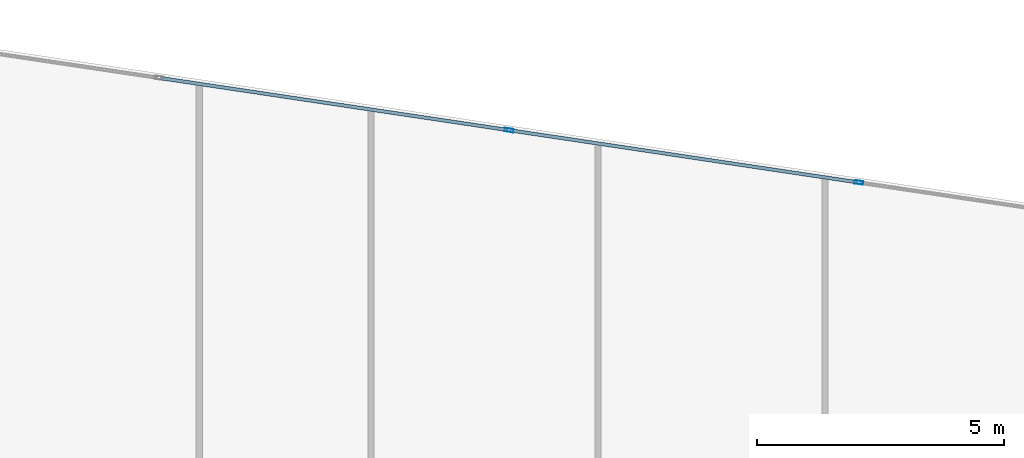
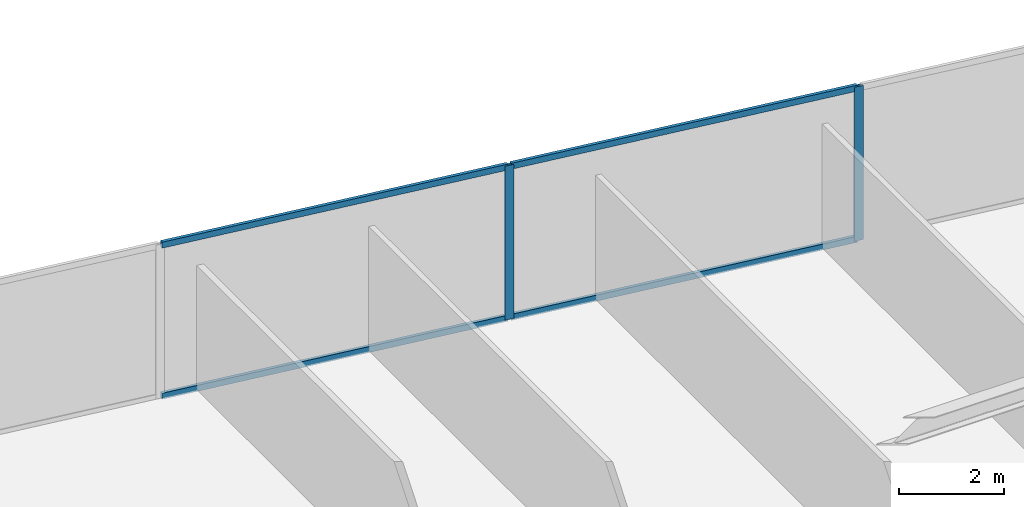
# One storey, part 19 of 29: 6 members, 1 element without a shape of its own.
"""IFC4 building model written with IfcOpenShell, lengths in metres."""

from ifc_helpers import new_model, si_unit, direction, frame, origin, origin_2d, place, context, subcontext, project, spatial, hollow_rectangle, extrude, source, transform, mapped, material, material_profile, profile_set, type_object, type_shapes, element, aggregate, save


model = new_model("IFC4")

# Units and contexts
model_context = context("Model", 3, precision=1e-05, world=origin(), true_north=direction((0.0, 1.0)))
body_context = subcontext(model_context, "Body", "Model", "MODEL_VIEW")
ifc_project = project(units=[si_unit("LENGTHUNIT", "METRE"), si_unit("AREAUNIT", "SQUARE_METRE"), si_unit("VOLUMEUNIT", "CUBIC_METRE"), si_unit("PLANEANGLEUNIT", "RADIAN"), si_unit("MASSUNIT", "GRAM", prefix="KILO")], contexts=[model_context])

# Site, building, storey
site_placement = place(None, origin())
site = spatial("IfcSite", under=ifc_project, at=site_placement, CompositionType="ELEMENT")
building_placement = place(site_placement, origin())
building = spatial("IfcBuilding", under=site, at=building_placement, Name="Krantzveldt Concourse Tower", CompositionType="ELEMENT")
storey_placement = place(building_placement, frame((0.0, 0.0, 76.35009765625)))
storey = spatial("IfcBuildingStorey", under=building, at=storey_placement, Name="L18", CompositionType="ELEMENT", Elevation=76.35009765625)

# Curtain wall, members
ifc_material = material(Name="Anodised aluminium 6063-T6", Category="aluminium")
curtain_wall_type = type_object("IfcCurtainWallType", Name="CW2", PredefinedType="USERDEFINED", material=ifc_material)
curtain_wall_placement = place(storey_placement, origin())
curtain_wall = element("IfcCurtainWall", 1, at=curtain_wall_placement, inside=storey, type_object=curtain_wall_type, Name="CW-L18-F10", ObjectType="UNITISED CURTAIN WALL", PredefinedType="USERDEFINED")
ifc_material_profile_1 = material_profile(ifc_material, hollow_rectangle(XDim=0.070068359375, YDim=0.139892578125, WallThickness=0.0048828125, at=origin_2d()), Name="Anodised aluminium 6063-T6", Category="aluminium")
ifc_profile_set_1 = profile_set([ifc_material_profile_1], Name="Anodised aluminium 6063-T6 - ALU-TRAN 140x70x5")
member_type_1 = type_object("IfcMemberType", Name="CW-TRN-150", PredefinedType="USERDEFINED", material=ifc_profile_set_1)
shared_shape_1 = source(origin(), body_context, "Body", "SweptSolid", [
    extrude(hollow_rectangle(XDim=0.070068359375, YDim=0.139892578125, WallThickness=0.0048828125, at=origin_2d()), origin(), (0.0, 0.0, 1.0), 7.096435546875),
])
type_shapes(member_type_1, [shared_shape_1])
member_1_placement = place(storey_placement, frame((39.647216796875, 51.341552734375, 0.034912109375), z_axis=(-0.989012933084, 0.147829016748, 0.0), x_axis=(-0.147829016748, -0.989012933084, 0.0)))
member_1 = element("IfcMember", 2, at=member_1_placement, type_object=member_type_1, Name="CW-Z12 transom 4.1", ObjectType="TRANSOM", PredefinedType="USERDEFINED", context=body_context, shape_type="MappedRepresentation", body=[
    mapped(shared_shape_1, transform((0.0, 0.0, 0.0), x_axis=(1.0, 0.0, 0.0), y_axis=(0.0, 1.0, 0.0), z_axis=(0.0, 0.0, 1.0), scale=1.0)),
])
member_2_placement = place(storey_placement, frame((39.647216796875, 51.341552734375, 3.554931640625), z_axis=(-0.989012933084, 0.147829016748, 0.0), x_axis=(-0.147829016748, -0.989012933084, 0.0)))
member_2 = element("IfcMember", 3, at=member_2_placement, type_object=member_type_1, Name="CW-Z12 transom 4.2", ObjectType="TRANSOM", PredefinedType="USERDEFINED", context=body_context, shape_type="MappedRepresentation", body=[
    mapped(shared_shape_1, transform((0.0, 0.0, 0.0), x_axis=(1.0, 0.0, 0.0), y_axis=(0.0, 1.0, 0.0), z_axis=(0.0, 0.0, 1.0), scale=1.0)),
])
member_3_placement = place(storey_placement, frame((32.559326171875, 52.40087890625, 0.034912109375), z_axis=(-0.989017962398, 0.147795365468, 0.0), x_axis=(-0.147795365468, -0.989017962398, 0.0)))
member_3 = element("IfcMember", 4, at=member_3_placement, type_object=member_type_1, Name="CW-Z12 transom 5.1", ObjectType="TRANSOM", PredefinedType="USERDEFINED", context=body_context, shape_type="MappedRepresentation", body=[
    mapped(shared_shape_1, transform((0.0, 0.0, 0.0), x_axis=(1.0, 0.0, 0.0), y_axis=(0.0, 1.0, 0.0), z_axis=(0.0, 0.0, 1.0), scale=1.0)),
])
member_4_placement = place(storey_placement, frame((32.559326171875, 52.40087890625, 3.554931640625), z_axis=(-0.989017962398, 0.147795365468, 0.0), x_axis=(-0.147795365468, -0.989017962398, 0.0)))
member_4 = element("IfcMember", 5, at=member_4_placement, type_object=member_type_1, Name="CW-Z12 transom 5.2", ObjectType="TRANSOM", PredefinedType="USERDEFINED", context=body_context, shape_type="MappedRepresentation", body=[
    mapped(shared_shape_1, transform((0.0, 0.0, 0.0), x_axis=(1.0, 0.0, 0.0), y_axis=(0.0, 1.0, 0.0), z_axis=(0.0, 0.0, 1.0), scale=1.0)),
])
ifc_material_profile_2 = material_profile(ifc_material, hollow_rectangle(XDim=0.070068359375, YDim=0.179931640625, WallThickness=0.0048828125, at=origin_2d()), Name="Anodised aluminium 6063-T6", Category="aluminium")
ifc_profile_set_2 = profile_set([ifc_material_profile_2], Name="Anodised aluminium 6063-T6 - ALU-MULL 180x70x5")
member_type_2 = type_object("IfcMemberType", Name="CW-MUL-180", PredefinedType="MULLION", material=ifc_profile_set_2)
shared_shape_2 = source(origin(), body_context, "Body", "SweptSolid", [
    extrude(hollow_rectangle(XDim=0.070068359375, YDim=0.179931640625, WallThickness=0.0048828125, at=origin_2d()), origin(), (0.0, 0.0, 1.0), 3.58984375),
])
type_shapes(member_type_2, [shared_shape_2])
member_5_placement = place(storey_placement, frame((39.681884765625, 51.33642578125, 0.0), z_axis=(0.0, 0.0, 1.0), x_axis=(-0.147809505412, -0.989015849271, 0.0)))
member_5 = element("IfcMember", 6, at=member_5_placement, type_object=member_type_2, Name="CW-Z12 mullion 4", PredefinedType="MULLION", context=body_context, shape_type="MappedRepresentation", body=[
    mapped(shared_shape_2, transform((0.0, 0.0, 0.0), x_axis=(1.0, 0.0, 0.0), y_axis=(0.0, 1.0, 0.0), z_axis=(0.0, 0.0, 1.0), scale=1.0)),
])
member_6_placement = place(storey_placement, frame((32.593994140625, 52.395751953125, 0.0), z_axis=(0.0, 0.0, 1.0), x_axis=(-0.147809505412, -0.989015849271, 0.0)))
member_6 = element("IfcMember", 7, at=member_6_placement, type_object=member_type_2, Name="CW-Z12 mullion 5", PredefinedType="MULLION", context=body_context, shape_type="MappedRepresentation", body=[
    mapped(shared_shape_2, transform((0.0, 0.0, 0.0), x_axis=(1.0, 0.0, 0.0), y_axis=(0.0, 1.0, 0.0), z_axis=(0.0, 0.0, 1.0), scale=1.0)),
])
aggregate(curtain_wall, [member_5, member_6, member_1, member_2, member_3, member_4])

save(model, "model.ifc")
